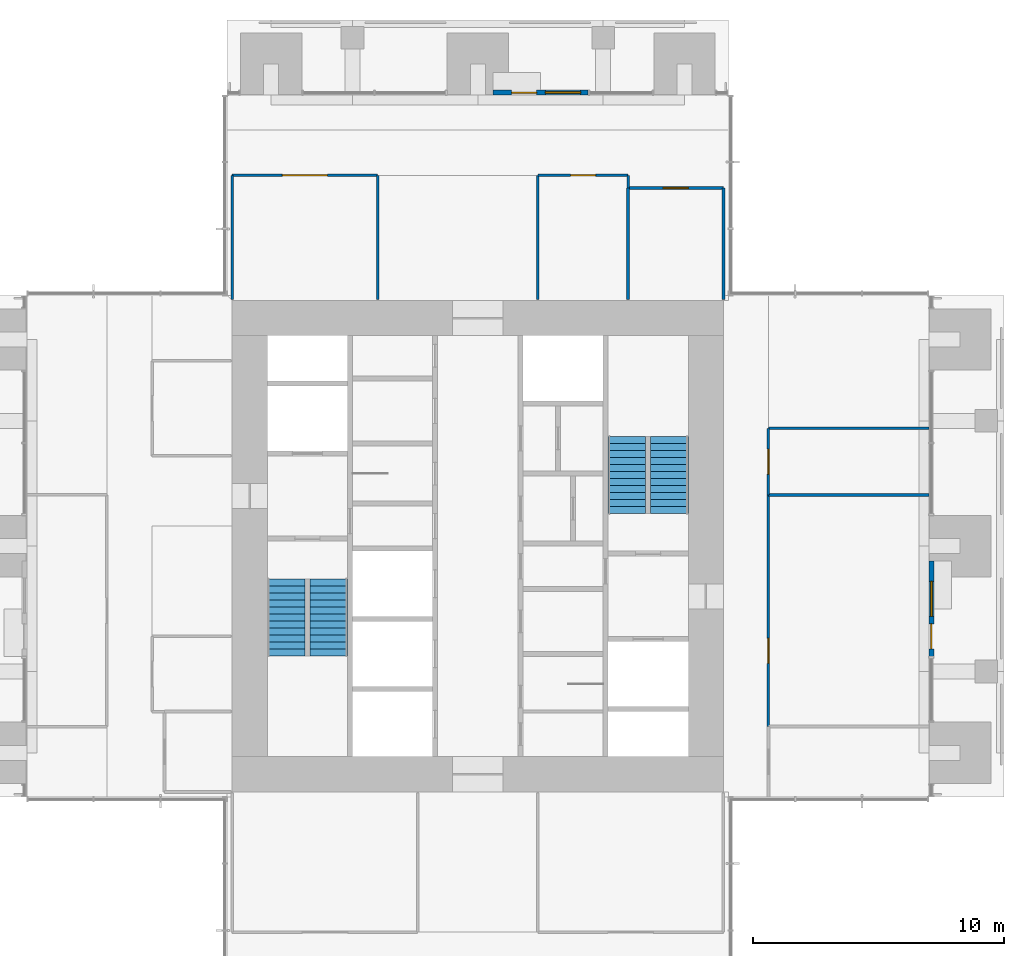
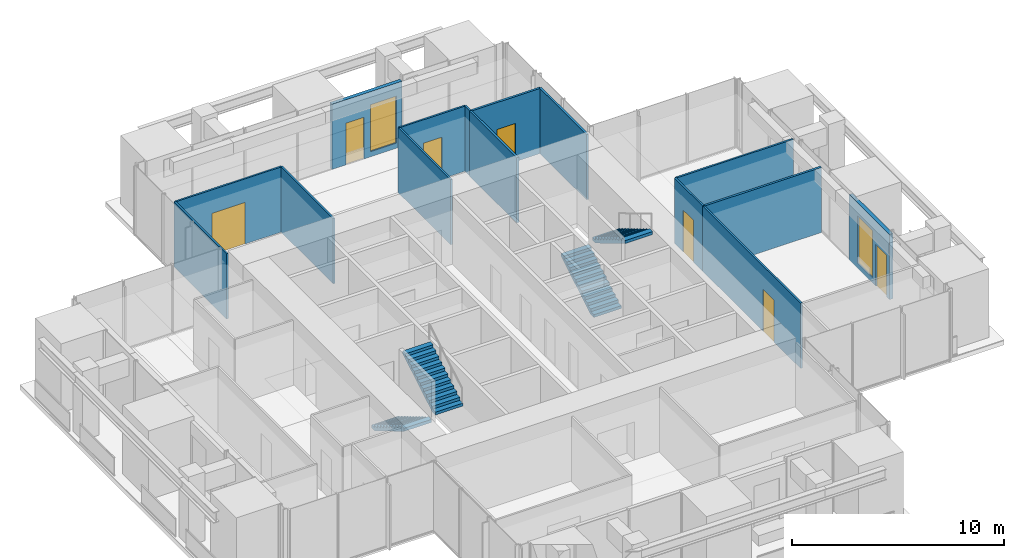
# One storey, part 14 of 17: 15 walls, 7 doors, 4 stair flights, 2 windows, 9 openings, 2 elements without a shape of their own.
"""IFC4 building model written with IfcOpenShell, lengths in metres."""

from ifc_helpers import new_model, si_unit, direction, frame, frame_2d, origin, place, context, subcontext, project, spatial, polyline, rectangle, outline, extrude, material, layer, layer_set, type_object, element, fill, aggregate, save


model = new_model("IFC4")

# Units and contexts
model_context = context("Model", 3, precision=1e-05, world=origin(), true_north=direction((0.0, 1.0)))
body_context = subcontext(model_context, "Body", "Model", "MODEL_VIEW")
ifc_project = project(units=[si_unit("LENGTHUNIT", "METRE"), si_unit("AREAUNIT", "SQUARE_METRE"), si_unit("VOLUMEUNIT", "CUBIC_METRE"), si_unit("PLANEANGLEUNIT", "RADIAN"), si_unit("MASSUNIT", "GRAM", prefix="KILO")], contexts=[model_context])

# Site, building, storey
site_placement = place(None, origin())
site = spatial("IfcSite", under=ifc_project, at=site_placement, CompositionType="ELEMENT")
building_placement = place(site_placement, origin())
building = spatial("IfcBuilding", under=site, at=building_placement, Name="Svetlomir Tower", CompositionType="ELEMENT")
storey_placement = place(building_placement, frame((0.0, 0.0, 210.5)))
storey = spatial("IfcBuildingStorey", under=building, at=storey_placement, Name="L50", CompositionType="ELEMENT", Elevation=210.5)

# Wall, openings, door, window
ifc_material_1 = material(Name="Bronze anodised aluminium glazed screen", Category="aluminium")
ifc_layer_1 = layer(ifc_material_1, 0.199951171875)
ifc_layer_set_1 = layer_set([ifc_layer_1], Name="Bronze anodised aluminium glazed screen")
wall_type_1 = type_object("IfcWallType", Name="BALCONY SCREEN WALL 200", PredefinedType="USERDEFINED", material=ifc_layer_set_1)
wall_1_placement = place(storey_placement, frame((39.10009765625, 16.60009765625, 0.0), z_axis=(0.0, 0.0, 1.0), x_axis=(0.0, 1.0, 0.0)))
wall_1 = element("IfcWall", 1, at=wall_1_placement, inside=storey, type_object=wall_type_1, Name="Balcony screen E", ObjectType="GLAZED SCREEN", PredefinedType="USERDEFINED", context=body_context, shape_type="SweptSolid", body=[
    extrude(rectangle(XDim=3.7998046875, YDim=0.199951171875, at=frame_2d((1.89990234375, 0.0))), origin(), (0.0, 0.0, 1.0), 3.75),
])
opening_1_placement = place(wall_1_placement, frame((0.300048828125, 0.0, 0.0)))
opening_1 = element("IfcOpeningElement", 2, at=opening_1_placement, cuts=wall_1, Name="Opening BD", PredefinedType="OPENING", context=body_context, shape_type="SweptSolid", body=[
    extrude(rectangle(XDim=1.0, YDim=2.39990234375, at=frame_2d((0.5, 1.199951171875))), frame((0.0, 0.10986328125, 0.0), z_axis=(0.0, -1.0, 0.0), x_axis=(1.0, 0.0, 0.0)), (0.0, 0.0, 1.0), 0.219970703125),
])
opening_2_placement = place(wall_1_placement, frame((1.60009765625, 0.0, 0.300048828125)))
opening_2 = element("IfcOpeningElement", 3, at=opening_2_placement, cuts=wall_1, Name="Opening WS2", PredefinedType="OPENING", context=body_context, shape_type="SweptSolid", body=[
    extrude(rectangle(XDim=1.39990234375, YDim=2.699951171875, at=frame_2d((0.699951171875, 1.35009765625))), frame((0.0, 0.10986328125, 0.0), z_axis=(0.0, -1.0, 0.0), x_axis=(1.0, 0.0, 0.0)), (0.0, 0.0, 1.0), 0.219970703125),
])
ifc_material_2 = material(Name="Bronze anodised aluminium glazed door", Category="aluminium")
door_type_1 = type_object("IfcDoorType", Name="BALCONY DOOR BD 1000x2400", OperationType="SINGLE_SWING_LEFT", PredefinedType="DOOR", material=ifc_material_2)
door_1_placement = place(opening_1_placement, origin())
door_1 = element("IfcDoor", 4, at=door_1_placement, inside=storey, type_object=door_type_1, Name="Balcony screen E door", OperationType="SINGLE_SWING_LEFT", OverallHeight=2.39990234375, OverallWidth=1.0, PredefinedType="DOOR", context=body_context, shape_type="SweptSolid", body=[
    extrude(rectangle(XDim=1.0, YDim=2.39990234375, at=frame_2d((0.5, 1.199951171875))), frame((0.0, 0.02490234375, 0.0), z_axis=(0.0, -1.0, 0.0), x_axis=(1.0, 0.0, 0.0)), (0.0, 0.0, 1.0), 0.050048828125),
])
fill(opening_1, door_1)
ifc_material_3 = material(Name="Bronze anodised aluminium window", Category="aluminium")
window_type = type_object("IfcWindowType", Name="SCREEN WINDOW WS2 1400x2700", PartitioningType="SINGLE_PANEL", PredefinedType="WINDOW", material=ifc_material_3)
window_1_placement = place(opening_2_placement, origin())
window_1 = element("IfcWindow", 5, at=window_1_placement, inside=storey, type_object=window_type, Name="Balcony screen E window 1", OverallHeight=2.699951171875, OverallWidth=1.39990234375, PartitioningType="SINGLE_PANEL", PredefinedType="WINDOW", context=body_context, shape_type="SweptSolid", body=[
    extrude(rectangle(XDim=1.39990234375, YDim=2.699951171875, at=frame_2d((0.699951171875, 1.35009765625))), frame((0.0, 0.030029296875, 0.0), z_axis=(0.0, -1.0, 0.0), x_axis=(1.0, 0.0, 0.0)), (0.0, 0.0, 1.0), 0.06005859375),
])
fill(opening_2, window_1)

wall_2_placement = place(storey_placement, frame((25.39990234375, 39.10009765625, 0.0), z_axis=(0.0, 0.0, 1.0), x_axis=(-1.0, 0.0, 0.0)))
wall_2 = element("IfcWall", 6, at=wall_2_placement, inside=storey, type_object=wall_type_1, Name="Balcony screen N", ObjectType="GLAZED SCREEN", PredefinedType="USERDEFINED", context=body_context, shape_type="SweptSolid", body=[
    extrude(rectangle(XDim=3.7998046875, YDim=0.199951171875, at=frame_2d((1.89990234375, 0.0))), origin(), (0.0, 0.0, 1.0), 3.75),
])
opening_3_placement = place(wall_2_placement, frame((2.050048828125, 0.0, 0.0)))
opening_3 = element("IfcOpeningElement", 7, at=opening_3_placement, cuts=wall_2, Name="Opening BD", PredefinedType="OPENING", context=body_context, shape_type="SweptSolid", body=[
    extrude(rectangle(XDim=1.0, YDim=2.39990234375, at=frame_2d((0.5, 1.199951171875))), frame((0.0, 0.10986328125, 0.0), z_axis=(0.0, -1.0, 0.0), x_axis=(1.0, 0.0, 0.0)), (0.0, 0.0, 1.0), 0.219970703125),
])
opening_4_placement = place(wall_2_placement, frame((0.300048828125, 0.0, 0.300048828125)))
opening_4 = element("IfcOpeningElement", 8, at=opening_4_placement, cuts=wall_2, Name="Opening WS2", PredefinedType="OPENING", context=body_context, shape_type="SweptSolid", body=[
    extrude(rectangle(XDim=1.39990234375, YDim=2.699951171875, at=frame_2d((0.699951171875, 1.35009765625))), frame((0.0, 0.10986328125, 0.0), z_axis=(0.0, -1.0, 0.0), x_axis=(1.0, 0.0, 0.0)), (0.0, 0.0, 1.0), 0.219970703125),
])
door_2_placement = place(opening_3_placement, origin())
door_2 = element("IfcDoor", 9, at=door_2_placement, inside=storey, type_object=door_type_1, Name="Balcony screen N door", OperationType="SINGLE_SWING_LEFT", OverallHeight=2.39990234375, OverallWidth=1.0, PredefinedType="DOOR", context=body_context, shape_type="SweptSolid", body=[
    extrude(rectangle(XDim=1.0, YDim=2.39990234375, at=frame_2d((0.5, 1.199951171875))), frame((0.0, 0.02490234375, 0.0), z_axis=(0.0, -1.0, 0.0), x_axis=(1.0, 0.0, 0.0)), (0.0, 0.0, 1.0), 0.050048828125),
])
fill(opening_3, door_2)
window_2_placement = place(opening_4_placement, origin())
window_2 = element("IfcWindow", 10, at=window_2_placement, inside=storey, type_object=window_type, Name="Balcony screen N window 1", OverallHeight=2.699951171875, OverallWidth=1.39990234375, PartitioningType="SINGLE_PANEL", PredefinedType="WINDOW", context=body_context, shape_type="SweptSolid", body=[
    extrude(rectangle(XDim=1.39990234375, YDim=2.699951171875, at=frame_2d((0.699951171875, 1.35009765625))), frame((0.0, 0.030029296875, 0.0), z_axis=(0.0, -1.0, 0.0), x_axis=(1.0, 0.0, 0.0)), (0.0, 0.0, 1.0), 0.06005859375),
])
fill(opening_4, window_2)

# Wall
ifc_material_4 = material(Name="Framed laminated glass partition", Category="glass")
ifc_layer_2 = layer(ifc_material_4, 0.10009765625)
ifc_layer_set_2 = layer_set([ifc_layer_2], Name="Framed laminated glass partition")
wall_type_2 = type_object("IfcWallType", Name="GLAZED PARTITION 100", PredefinedType="PARTITIONING", material=ifc_layer_set_2)
wall_3_placement = place(storey_placement, frame((11.199951171875, 30.85009765625, 0.0), z_axis=(0.0, 0.0, 1.0), x_axis=(0.0, 1.0, 0.0)))
element("IfcWall", 11, at=wall_3_placement, inside=storey, type_object=wall_type_2, Name="Glazed partition L50", PredefinedType="PARTITIONING", context=body_context, shape_type="SweptSolid", body=[
    extrude(rectangle(XDim=4.949951171875, YDim=0.10009765625, at=frame_2d((2.47509765625, 0.0))), origin(), (0.0, 0.0, 1.0), 3.75),
])

# Wall, opening, door
wall_4_placement = place(storey_placement, frame((11.199951171875, 35.800048828125, 0.0), z_axis=(0.0, 0.0, 1.0), x_axis=(1.0, 0.0, 0.0)))
wall_4 = element("IfcWall", 12, at=wall_4_placement, inside=storey, type_object=wall_type_2, Name="Glazed partition L50", PredefinedType="PARTITIONING", context=body_context, shape_type="SweptSolid", body=[
    extrude(rectangle(XDim=5.800048828125, YDim=0.10009765625, at=frame_2d((2.89990234375, 0.0))), origin(), (0.0, 0.0, 1.0), 3.75),
])
opening_5_placement = place(wall_4_placement, frame((2.0, 0.0, 0.0)))
opening_5 = element("IfcOpeningElement", 13, at=opening_5_placement, cuts=wall_4, Name="Opening DD", PredefinedType="OPENING", context=body_context, shape_type="SweptSolid", body=[
    extrude(rectangle(XDim=1.800048828125, YDim=2.39990234375, at=frame_2d((0.89990234375, 1.199951171875))), frame((0.0, 0.06005859375, 0.0), z_axis=(0.0, -1.0, 0.0), x_axis=(1.0, 0.0, 0.0)), (0.0, 0.0, 1.0), 0.1201171875),
])
ifc_material_5 = material(Name="Timber door", Category="wood")
door_type_2 = type_object("IfcDoorType", Name="DOOR DD 1800x2400", OperationType="DOUBLE_DOOR_SINGLE_SWING", PredefinedType="DOOR", material=ifc_material_5)
door_3_placement = place(opening_5_placement, origin())
door_3 = element("IfcDoor", 14, at=door_3_placement, inside=storey, type_object=door_type_2, Name="Training room, 14 seats door L50", OperationType="DOUBLE_DOOR_SINGLE_SWING", OverallHeight=2.39990234375, OverallWidth=1.800048828125, PredefinedType="DOOR", context=body_context, shape_type="SweptSolid", body=[
    extrude(rectangle(XDim=1.800048828125, YDim=2.39990234375, at=frame_2d((0.89990234375, 1.199951171875))), frame((0.0, 0.02490234375, 0.0), z_axis=(0.0, -1.0, 0.0), x_axis=(1.0, 0.0, 0.0)), (0.0, 0.0, 1.0), 0.050048828125),
])
fill(opening_5, door_3)

# Walls
for number, where, z_axis, x_axis, name in (
    (15, (17.0, 30.85009765625, 0.0), (0.0, 0.0, 1.0), (0.0, 1.0, 0.0), "Glazed partition L50"),
    (16, (23.39990234375, 30.85009765625, 0.0), (0.0, 0.0, 1.0), (0.0, 1.0, 0.0), "Glazed partition L50"),
):
    element("IfcWall", number, at=place(storey_placement, frame(where, z_axis=z_axis, x_axis=x_axis)), inside=storey, type_object=wall_type_2, Name=name, PredefinedType="PARTITIONING", context=body_context, shape_type="SweptSolid", body=[
        extrude(rectangle(XDim=4.949951171875, YDim=0.10009765625, at=frame_2d((2.47509765625, 0.0))), origin(), (0.0, 0.0, 1.0), 3.75),
    ])

# Wall, opening, door
wall_5_placement = place(storey_placement, frame((23.39990234375, 35.800048828125, 0.0), z_axis=(0.0, 0.0, 1.0), x_axis=(1.0, 0.0, 0.0)))
wall_5 = element("IfcWall", 17, at=wall_5_placement, inside=storey, type_object=wall_type_2, Name="Glazed partition L50", PredefinedType="PARTITIONING", context=body_context, shape_type="SweptSolid", body=[
    extrude(rectangle(XDim=3.60009765625, YDim=0.10009765625, at=frame_2d((1.800048828125, 0.0))), origin(), (0.0, 0.0, 1.0), 3.75),
])
opening_6_placement = place(wall_5_placement, frame((1.300048828125, 0.0, 0.0)))
opening_6 = element("IfcOpeningElement", 18, at=opening_6_placement, cuts=wall_5, Name="Opening DG", PredefinedType="OPENING", context=body_context, shape_type="SweptSolid", body=[
    extrude(rectangle(XDim=1.0, YDim=2.39990234375, at=frame_2d((0.5, 1.199951171875))), frame((0.0, 0.06005859375, 0.0), z_axis=(0.0, -1.0, 0.0), x_axis=(1.0, 0.0, 0.0)), (0.0, 0.0, 1.0), 0.1201171875),
])
ifc_material_6 = material(Name="Framed laminated glass door", Category="glass")
door_type_3 = type_object("IfcDoorType", Name="GLAZED DOOR DG 1000x2400", OperationType="SINGLE_SWING_LEFT", PredefinedType="DOOR", material=ifc_material_6)
door_4_placement = place(opening_6_placement, origin())
door_4 = element("IfcDoor", 19, at=door_4_placement, inside=storey, type_object=door_type_3, Name="Meeting room, 6 seats door L50", OperationType="SINGLE_SWING_LEFT", OverallHeight=2.39990234375, OverallWidth=1.0, PredefinedType="DOOR", context=body_context, shape_type="SweptSolid", body=[
    extrude(rectangle(XDim=1.0, YDim=2.39990234375, at=frame_2d((0.5, 1.199951171875))), frame((0.0, 0.02490234375, 0.0), z_axis=(0.0, -1.0, 0.0), x_axis=(1.0, 0.0, 0.0)), (0.0, 0.0, 1.0), 0.050048828125),
])
fill(opening_6, door_4)

# Wall
wall_6_placement = place(storey_placement, frame((27.0, 35.300048828125, 0.0), z_axis=(0.0, 0.0, 1.0), x_axis=(0.0, 1.0, 0.0)))
element("IfcWall", 20, at=wall_6_placement, inside=storey, type_object=wall_type_2, Name="Glazed partition L50", PredefinedType="PARTITIONING", context=body_context, shape_type="SweptSolid", body=[
    extrude(rectangle(XDim=0.5, YDim=0.10009765625, at=frame_2d((0.25, 0.0))), origin(), (0.0, 0.0, 1.0), 3.75),
])

# Wall, opening, door
wall_7_placement = place(storey_placement, frame((32.60009765625, 13.800048828125, 0.0), z_axis=(0.0, 0.0, 1.0), x_axis=(0.0, 1.0, 0.0)))
wall_7 = element("IfcWall", 21, at=wall_7_placement, inside=storey, type_object=wall_type_2, Name="Glazed partition L50", PredefinedType="PARTITIONING", context=body_context, shape_type="SweptSolid", body=[
    extrude(rectangle(XDim=9.25, YDim=0.10009765625, at=frame_2d((4.625, 0.0))), origin(), (0.0, 0.0, 1.0), 3.75),
])
opening_7_placement = place(wall_7_placement, frame((2.52490234375, 0.0, 0.0)))
opening_7 = element("IfcOpeningElement", 22, at=opening_7_placement, cuts=wall_7, Name="Opening DG", PredefinedType="OPENING", context=body_context, shape_type="SweptSolid", body=[
    extrude(rectangle(XDim=1.0, YDim=2.39990234375, at=frame_2d((0.5, 1.199951171875))), frame((0.0, 0.06005859375, 0.0), z_axis=(0.0, -1.0, 0.0), x_axis=(1.0, 0.0, 0.0)), (0.0, 0.0, 1.0), 0.1201171875),
])
door_5_placement = place(opening_7_placement, origin())
door_5 = element("IfcDoor", 23, at=door_5_placement, inside=storey, type_object=door_type_3, Name="Learners' lounge and kitchenette door L50", OperationType="SINGLE_SWING_RIGHT", OverallHeight=2.39990234375, OverallWidth=1.0, PredefinedType="DOOR", context=body_context, shape_type="SweptSolid", body=[
    extrude(rectangle(XDim=1.0, YDim=2.39990234375, at=frame_2d((0.5, 1.199951171875))), frame((0.0, 0.02490234375, 0.0), z_axis=(0.0, -1.0, 0.0), x_axis=(1.0, 0.0, 0.0)), (0.0, 0.0, 1.0), 0.050048828125),
])
fill(opening_7, door_5)

wall_8_placement = place(storey_placement, frame((32.60009765625, 23.050048828125, 0.0), z_axis=(0.0, 0.0, 1.0), x_axis=(0.0, 1.0, 0.0)))
wall_8 = element("IfcWall", 24, at=wall_8_placement, inside=storey, type_object=wall_type_2, Name="Glazed partition L50", PredefinedType="PARTITIONING", context=body_context, shape_type="SweptSolid", body=[
    extrude(rectangle(XDim=2.64990234375, YDim=0.10009765625, at=frame_2d((1.324951171875, 0.0))), origin(), (0.0, 0.0, 1.0), 3.75),
])
opening_8_placement = place(wall_8_placement, frame((0.824951171875, 0.0, 0.0)))
opening_8 = element("IfcOpeningElement", 25, at=opening_8_placement, cuts=wall_8, Name="Opening DG", PredefinedType="OPENING", context=body_context, shape_type="SweptSolid", body=[
    extrude(rectangle(XDim=1.0, YDim=2.39990234375, at=frame_2d((0.5, 1.199951171875))), frame((0.0, 0.06005859375, 0.0), z_axis=(0.0, -1.0, 0.0), x_axis=(1.0, 0.0, 0.0)), (0.0, 0.0, 1.0), 0.1201171875),
])
door_6_placement = place(opening_8_placement, origin())
door_6 = element("IfcDoor", 26, at=door_6_placement, inside=storey, type_object=door_type_3, Name="Coaching room door L50", OperationType="SINGLE_SWING_LEFT", OverallHeight=2.39990234375, OverallWidth=1.0, PredefinedType="DOOR", context=body_context, shape_type="SweptSolid", body=[
    extrude(rectangle(XDim=1.0, YDim=2.39990234375, at=frame_2d((0.5, 1.199951171875))), frame((0.0, 0.02490234375, 0.0), z_axis=(0.0, -1.0, 0.0), x_axis=(1.0, 0.0, 0.0)), (0.0, 0.0, 1.0), 0.050048828125),
])
fill(opening_8, door_6)

# Walls
wall_9_placement = place(storey_placement, frame((32.60009765625, 25.699951171875, 0.0), z_axis=(0.0, 0.0, 1.0), x_axis=(1.0, 0.0, 0.0)))
element("IfcWall", 27, at=wall_9_placement, inside=storey, type_object=wall_type_2, Name="Glazed partition L50", PredefinedType="PARTITIONING", context=body_context, shape_type="SweptSolid", body=[
    extrude(rectangle(XDim=6.39990234375, YDim=0.10009765625, at=frame_2d((3.199951171875, 0.0))), origin(), (0.0, 0.0, 1.0), 3.75),
])
ifc_material_7 = material(Name="Gypsum board on steel studs", Category="steel")
ifc_layer_3 = layer(ifc_material_7, 0.1201171875)
ifc_layer_set_3 = layer_set([ifc_layer_3], Name="Gypsum board on steel studs")
wall_type_3 = type_object("IfcWallType", Name="PARTITION 120", PredefinedType="PARTITIONING", material=ifc_layer_set_3)
wall_10_placement = place(storey_placement, frame((27.0, 30.85009765625, 0.0), z_axis=(0.0, 0.0, 1.0), x_axis=(0.0, 1.0, 0.0)))
element("IfcWall", 28, at=wall_10_placement, inside=storey, type_object=wall_type_3, Name="Partition L50", PredefinedType="PARTITIONING", context=body_context, shape_type="SweptSolid", body=[
    extrude(rectangle(XDim=4.449951171875, YDim=0.1201171875, at=frame_2d((2.22509765625, 0.0))), origin(), (0.0, 0.0, 1.0), 3.75),
])

# Wall, opening, door
wall_11_placement = place(storey_placement, frame((27.0, 35.300048828125, 0.0), z_axis=(0.0, 0.0, 1.0), x_axis=(1.0, 0.0, 0.0)))
wall_11 = element("IfcWall", 29, at=wall_11_placement, inside=storey, type_object=wall_type_3, Name="Partition L50", PredefinedType="PARTITIONING", context=body_context, shape_type="SweptSolid", body=[
    extrude(rectangle(XDim=3.800048828125, YDim=0.1201171875, at=frame_2d((1.89990234375, 0.0))), origin(), (0.0, 0.0, 1.0), 3.75),
])
opening_9_placement = place(wall_11_placement, frame((1.39990234375, 0.0, 0.0)))
opening_9 = element("IfcOpeningElement", 30, at=opening_9_placement, cuts=wall_11, Name="Opening DR", PredefinedType="OPENING", context=body_context, shape_type="SweptSolid", body=[
    extrude(rectangle(XDim=1.0, YDim=2.199951171875, at=frame_2d((0.5, 1.10009765625))), frame((0.0, 0.070068359375, 0.0), z_axis=(0.0, -1.0, 0.0), x_axis=(1.0, 0.0, 0.0)), (0.0, 0.0, 1.0), 0.14013671875),
])
ifc_material_8 = material(Name="Timber door, glazed side light", Category="wood")
door_type_4 = type_object("IfcDoorType", Name="DOOR DR 1000x2200", OperationType="SINGLE_SWING_LEFT", PredefinedType="DOOR", material=ifc_material_8)
door_7_placement = place(opening_9_placement, origin())
door_7 = element("IfcDoor", 31, at=door_7_placement, inside=storey, type_object=door_type_4, Name="Training store door L50", OperationType="SINGLE_SWING_RIGHT", OverallHeight=2.199951171875, OverallWidth=1.0, PredefinedType="DOOR", context=body_context, shape_type="SweptSolid", body=[
    extrude(rectangle(XDim=1.0, YDim=2.199951171875, at=frame_2d((0.5, 1.10009765625))), frame((0.0, 0.02490234375, 0.0), z_axis=(0.0, -1.0, 0.0), x_axis=(1.0, 0.0, 0.0)), (0.0, 0.0, 1.0), 0.050048828125),
])
fill(opening_9, door_7)

# Walls
wall_12_placement = place(storey_placement, frame((30.800048828125, 30.85009765625, 0.0), z_axis=(0.0, 0.0, 1.0), x_axis=(0.0, 1.0, 0.0)))
element("IfcWall", 32, at=wall_12_placement, inside=storey, type_object=wall_type_3, Name="Partition L50", PredefinedType="PARTITIONING", context=body_context, shape_type="SweptSolid", body=[
    extrude(rectangle(XDim=4.449951171875, YDim=0.1201171875, at=frame_2d((2.22509765625, 0.0))), origin(), (0.0, 0.0, 1.0), 3.75),
])
wall_13_placement = place(storey_placement, frame((32.60009765625, 23.050048828125, 0.0), z_axis=(0.0, 0.0, 1.0), x_axis=(1.0, 0.0, 0.0)))
element("IfcWall", 33, at=wall_13_placement, inside=storey, type_object=wall_type_3, Name="Partition L50", PredefinedType="PARTITIONING", context=body_context, shape_type="SweptSolid", body=[
    extrude(rectangle(XDim=6.39990234375, YDim=0.1201171875, at=frame_2d((3.199951171875, 0.0))), origin(), (0.0, 0.0, 1.0), 3.75),
])

# Stair, stair flights
ifc_material_9 = material(Name="Concrete C60/75", Category="concrete")
stair_type = type_object("IfcStairType", Name="EXIT STAIR 3200 RISE 4000", PredefinedType="HALF_TURN_STAIR", material=ifc_material_9)
stair_1_placement = place(storey_placement, origin())
stair_1 = element("IfcStair", 34, at=stair_1_placement, inside=storey, type_object=stair_type, Name="Stair S1 L50 to L51", PredefinedType="HALF_TURN_STAIR")
ifc_material_10 = material(Name="Concrete C60/75", Category="concrete")
stair_flight_type = type_object("IfcStairFlightType", Name="STAIR FLIGHT 1500 OF 12 RISERS", PredefinedType="STRAIGHT", material=ifc_material_10)
stair_flight_1_placement = place(storey_placement, frame((13.35009765625, 19.699951171875, 0.0), z_axis=(0.0, 0.0, 1.0), x_axis=(0.0, -1.0, 0.0)))
stair_flight_1 = element("IfcStairFlight", 35, at=stair_flight_1_placement, type_object=stair_flight_type, Name="S1 flight 1", NumberOfRisers=12, NumberOfTreads=11, PredefinedType="STRAIGHT", RiserHeight=0.166666667, TreadLength=0.28, context=body_context, shape_type="SweptSolid", body=[
    extrude(outline(polyline([(0.0, 0.0), (0.0, 0.166748046875), (0.280029296875, 0.166748046875), (0.280029296875, 0.333251953125), (0.56005859375, 0.333251953125), (0.56005859375, 0.5), (0.840087890625, 0.5), (0.840087890625, 0.666748046875), (1.1201171875, 0.666748046875), (1.1201171875, 0.833251953125), (1.39990234375, 0.833251953125), (1.39990234375, 1.0), (1.679931640625, 1.0), (1.679931640625, 1.166748046875), (1.9599609375, 1.166748046875), (1.9599609375, 1.333251953125), (2.239990234375, 1.333251953125), (2.239990234375, 1.5), (2.52001953125, 1.5), (2.52001953125, 1.666748046875), (2.800048828125, 1.666748046875), (2.800048828125, 1.833251953125), (3.080078125, 1.833251953125), (3.080078125, 2.0), (3.080078125, 1.658935546875), (0.29296875, 0.0), (0.0, 0.0)])), frame((0.0, 0.75, 0.0), z_axis=(0.0, -1.0, 0.0), x_axis=(1.0, 0.0, 0.0)), (0.0, 0.0, 1.0), 1.5),
])
stair_flight_2_placement = place(storey_placement, frame((15.050048828125, 16.6201171875, 2.0), z_axis=(0.0, 0.0, 1.0), x_axis=(0.0, 1.0, 0.0)))
stair_flight_2 = element("IfcStairFlight", 36, at=stair_flight_2_placement, type_object=stair_flight_type, Name="S1 flight 2", NumberOfRisers=12, NumberOfTreads=11, PredefinedType="STRAIGHT", RiserHeight=0.166666667, TreadLength=0.28, context=body_context, shape_type="SweptSolid", body=[
    extrude(outline(polyline([(0.0, 0.0), (0.0, 0.166748046875), (0.280029296875, 0.166748046875), (0.280029296875, 0.333251953125), (0.56005859375, 0.333251953125), (0.56005859375, 0.5), (0.840087890625, 0.5), (0.840087890625, 0.666748046875), (1.1201171875, 0.666748046875), (1.1201171875, 0.833251953125), (1.39990234375, 0.833251953125), (1.39990234375, 1.0), (1.679931640625, 1.0), (1.679931640625, 1.166748046875), (1.9599609375, 1.166748046875), (1.9599609375, 1.333251953125), (2.239990234375, 1.333251953125), (2.239990234375, 1.5), (2.52001953125, 1.5), (2.52001953125, 1.666748046875), (2.800048828125, 1.666748046875), (2.800048828125, 1.833251953125), (3.080078125, 1.833251953125), (3.080078125, 2.0), (3.080078125, 1.658935546875), (0.29296875, 0.0), (0.0, 0.0)])), frame((0.0, 0.75, 0.0), z_axis=(0.0, -1.0, 0.0), x_axis=(1.0, 0.0, 0.0)), (0.0, 0.0, 1.0), 1.5),
])
aggregate(stair_1, [stair_flight_1, stair_flight_2])

stair_2_placement = place(storey_placement, origin())
stair_2 = element("IfcStair", 37, at=stair_2_placement, inside=storey, type_object=stair_type, Name="Stair S2 L50 to L51", PredefinedType="HALF_TURN_STAIR")
stair_flight_3_placement = place(storey_placement, frame((26.949951171875, 22.300048828125, 0.0), z_axis=(0.0, 0.0, 1.0), x_axis=(0.0, 1.0, 0.0)))
stair_flight_3 = element("IfcStairFlight", 38, at=stair_flight_3_placement, type_object=stair_flight_type, Name="S2 flight 1", NumberOfRisers=12, NumberOfTreads=11, PredefinedType="STRAIGHT", RiserHeight=0.166666667, TreadLength=0.28, context=body_context, shape_type="SweptSolid", body=[
    extrude(outline(polyline([(0.0, 0.0), (0.0, 0.166748046875), (0.280029296875, 0.166748046875), (0.280029296875, 0.333251953125), (0.56005859375, 0.333251953125), (0.56005859375, 0.5), (0.840087890625, 0.5), (0.840087890625, 0.666748046875), (1.1201171875, 0.666748046875), (1.1201171875, 0.833251953125), (1.39990234375, 0.833251953125), (1.39990234375, 1.0), (1.679931640625, 1.0), (1.679931640625, 1.166748046875), (1.9599609375, 1.166748046875), (1.9599609375, 1.333251953125), (2.239990234375, 1.333251953125), (2.239990234375, 1.5), (2.52001953125, 1.5), (2.52001953125, 1.666748046875), (2.800048828125, 1.666748046875), (2.800048828125, 1.833251953125), (3.080078125, 1.833251953125), (3.080078125, 2.0), (3.080078125, 1.658935546875), (0.29296875, 0.0), (0.0, 0.0)])), frame((0.0, 0.75, 0.0), z_axis=(0.0, -1.0, 0.0), x_axis=(1.0, 0.0, 0.0)), (0.0, 0.0, 1.0), 1.5),
])
stair_flight_4_placement = place(storey_placement, frame((28.64990234375, 25.3798828125, 2.0), z_axis=(0.0, 0.0, 1.0), x_axis=(0.0, -1.0, 0.0)))
stair_flight_4 = element("IfcStairFlight", 39, at=stair_flight_4_placement, type_object=stair_flight_type, Name="S2 flight 2", NumberOfRisers=12, NumberOfTreads=11, PredefinedType="STRAIGHT", RiserHeight=0.166666667, TreadLength=0.28, context=body_context, shape_type="SweptSolid", body=[
    extrude(outline(polyline([(0.0, 0.0), (0.0, 0.166748046875), (0.280029296875, 0.166748046875), (0.280029296875, 0.333251953125), (0.56005859375, 0.333251953125), (0.56005859375, 0.5), (0.840087890625, 0.5), (0.840087890625, 0.666748046875), (1.1201171875, 0.666748046875), (1.1201171875, 0.833251953125), (1.39990234375, 0.833251953125), (1.39990234375, 1.0), (1.679931640625, 1.0), (1.679931640625, 1.166748046875), (1.9599609375, 1.166748046875), (1.9599609375, 1.333251953125), (2.239990234375, 1.333251953125), (2.239990234375, 1.5), (2.52001953125, 1.5), (2.52001953125, 1.666748046875), (2.800048828125, 1.666748046875), (2.800048828125, 1.833251953125), (3.080078125, 1.833251953125), (3.080078125, 2.0), (3.080078125, 1.658935546875), (0.29296875, 0.0), (0.0, 0.0)])), frame((0.0, 0.75, 0.0), z_axis=(0.0, -1.0, 0.0), x_axis=(1.0, 0.0, 0.0)), (0.0, 0.0, 1.0), 1.5),
])
aggregate(stair_2, [stair_flight_3, stair_flight_4])

save(model, "model.ifc")
